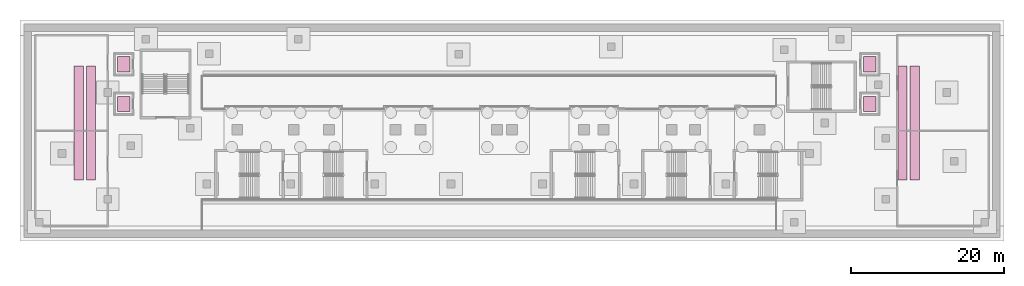
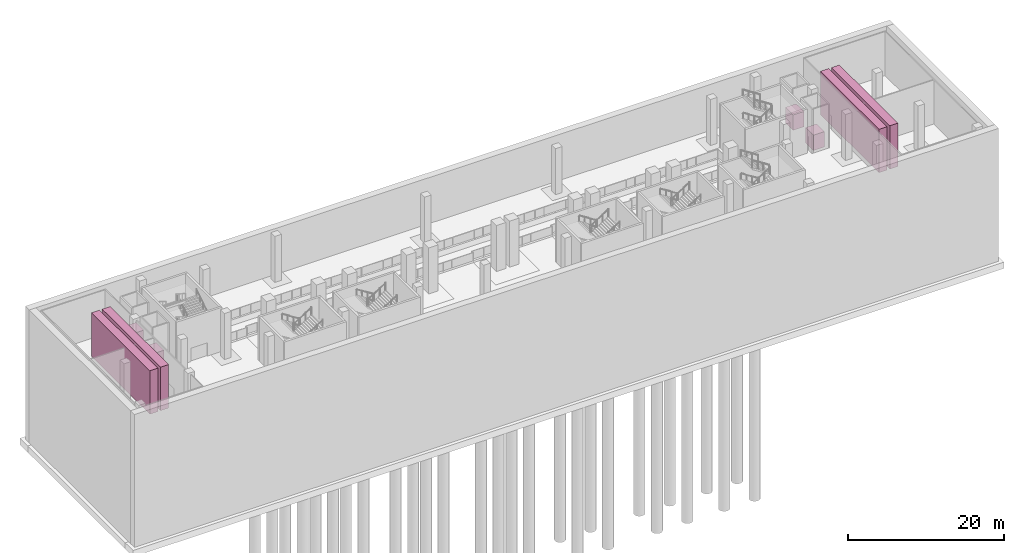
# One storey, part 15 of 15: 8 transport elements.
"""IFC4 building model written with IfcOpenShell, lengths in metres."""

from ifc_helpers import new_model, si_unit, direction, frame, origin, origin_2d, place, context, subcontext, project, spatial, rectangle, extrude, material, type_object, element, save


model = new_model("IFC4")

# Units and contexts
model_context = context("Model", 3, precision=1e-05, world=origin(), true_north=direction((0.0, 1.0)))
body_context = subcontext(model_context, "Body", "Model", "MODEL_VIEW")
ifc_project = project(units=[si_unit("LENGTHUNIT", "METRE"), si_unit("AREAUNIT", "SQUARE_METRE"), si_unit("VOLUMEUNIT", "CUBIC_METRE"), si_unit("PLANEANGLEUNIT", "RADIAN"), si_unit("MASSUNIT", "GRAM", prefix="KILO")], contexts=[model_context])

# Site, building, storey
site_placement = place(None, origin())
site = spatial("IfcSite", under=ifc_project, at=site_placement, CompositionType="ELEMENT")
building_placement = place(site_placement, origin())
building = spatial("IfcBuilding", under=site, at=building_placement, Name="Wharfspan Tower", CompositionType="ELEMENT")
storey_placement = place(building_placement, frame((0.0, 0.0, -14.399902)))
storey = spatial("IfcBuildingStorey", under=building, at=storey_placement, Name="B2", CompositionType="ELEMENT", Elevation=-14.399902)

# Transport elements
ifc_material = material(Name="Stainless steel", Category="steel")
transport_element_type_1 = type_object("IfcTransportElementType", Name="Escalator 1000", PredefinedType="ESCALATOR", material=ifc_material)
for number, where, z_axis, x_axis, name in (
    (1, (-8.800049, -21.0, 0.399902), (0.0, 0.0, 1.0), (1.0, 0.0, 0.0), "Escalator ES1"),
    (2, (-7.199951, -21.0, 0.399902), (0.0, 0.0, 1.0), (1.0, 0.0, 0.0), "Escalator ES2"),
    (3, (99.199951, -21.0, 0.399902), (0.0, 0.0, 1.0), (1.0, 0.0, 0.0), "Escalator ES5"),
    (4, (100.800049, -21.0, 0.399902), (0.0, 0.0, 1.0), (1.0, 0.0, 0.0), "Escalator ES6"),
):
    element("IfcTransportElement", number, at=place(storey_placement, frame(where, z_axis=z_axis, x_axis=x_axis)), inside=storey, type_object=transport_element_type_1, Name=name, PredefinedType="ESCALATOR", context=body_context, shape_type="SweptSolid", body=[
        extrude(rectangle(XDim=1.199951, YDim=15.0, at=origin_2d()), origin(), (0.0, 0.0, 1.0), 6.800049),
    ])
transport_element_type_2 = type_object("IfcTransportElementType", Name="Podium lift car", PredefinedType="ELEVATOR", material=ifc_material)
for number, where, z_axis, x_axis, name in (
    (5, (-2.899902, -18.5, 0.0), (0.0, 0.0, 1.0), (1.0, 0.0, 0.0), "Podium lift LP1"),
    (6, (-2.899902, -13.300049, 0.0), (0.0, 0.0, 1.0), (1.0, 0.0, 0.0), "Podium lift LP3"),
    (7, (94.899902, -18.5, 0.0), (0.0, 0.0, 1.0), (1.0, 0.0, 0.0), "Podium lift LP2"),
    (8, (94.899902, -13.300049, 0.0), (0.0, 0.0, 1.0), (1.0, 0.0, 0.0), "Podium lift LP4"),
):
    element("IfcTransportElement", number, at=place(storey_placement, frame(where, z_axis=z_axis, x_axis=x_axis)), inside=storey, type_object=transport_element_type_2, Name=name, PredefinedType="ELEVATOR", context=body_context, shape_type="SweptSolid", body=[
        extrude(rectangle(XDim=1.600098, YDim=2.0, at=origin_2d()), origin(), (0.0, 0.0, 1.0), 2.399902),
    ])

save(model, "model.ifc")
